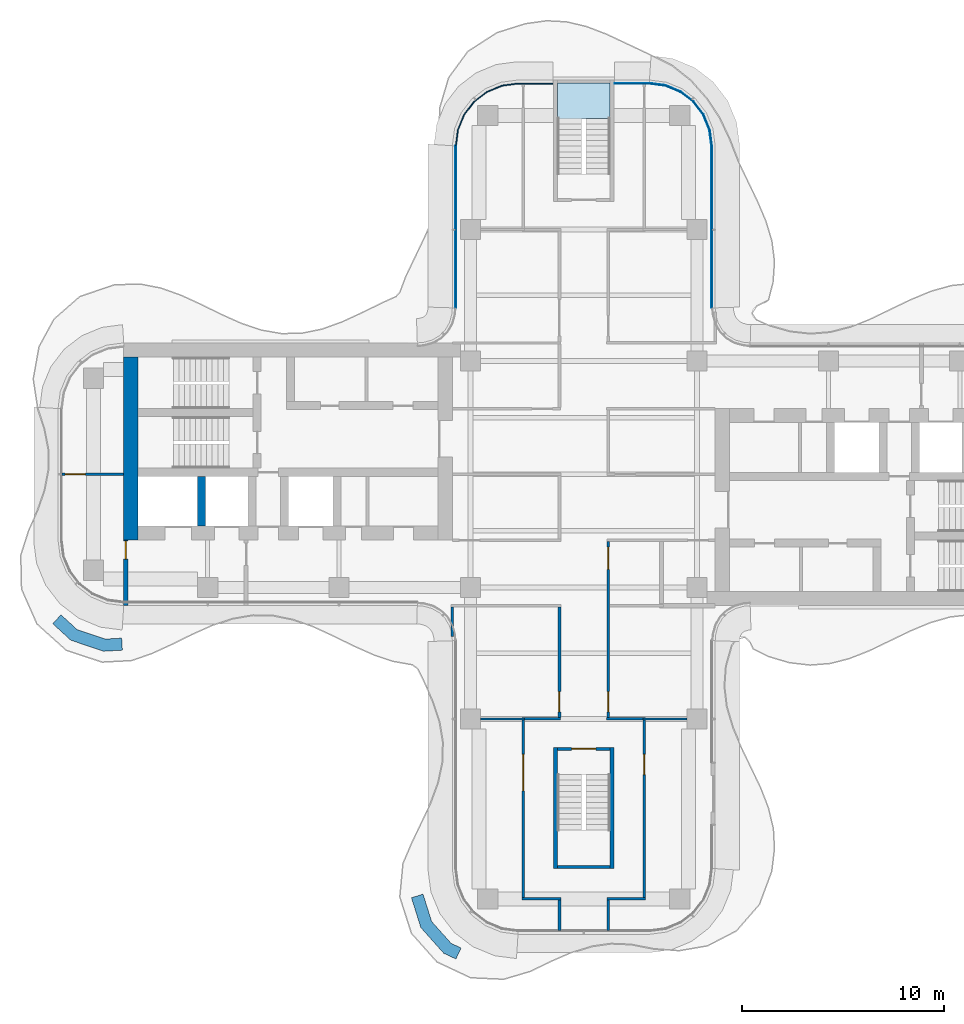
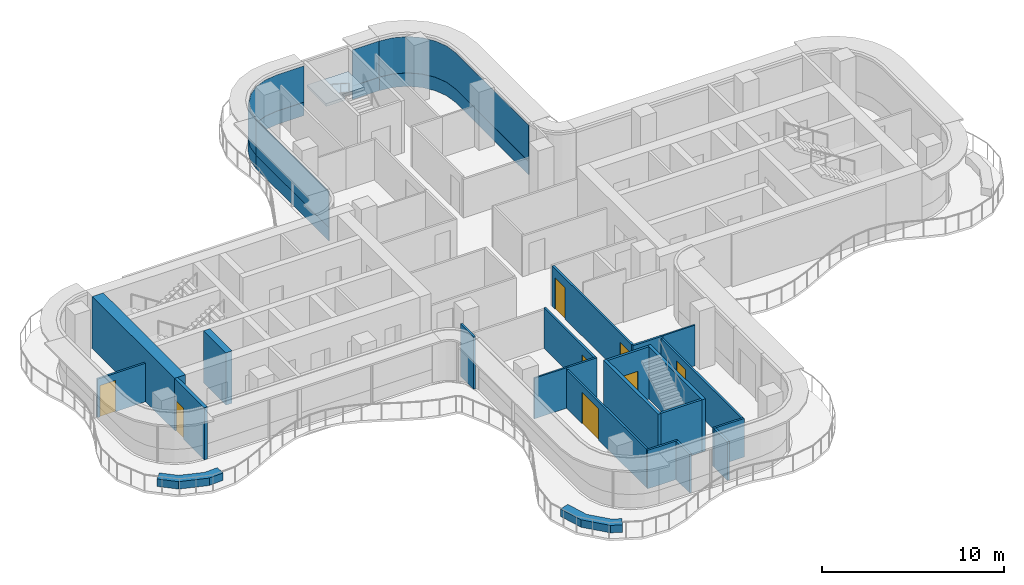
# One storey, part 10 of 15: 23 walls, 8 doors, 8 plates, 1 slab, 8 openings, 5 elements without a shape of their own.
"""IFC4 building model written with IfcOpenShell, lengths in metres."""

from ifc_helpers import new_model, si_unit, direction, frame, frame_2d, origin, place, context, subcontext, project, spatial, polyline, rectangle, outline, extrude, source, transform, mapped, material, layer, layer_set, type_object, element, fill, aggregate, save


model = new_model("IFC4")

# Units and contexts
model_context = context("Model", 3, precision=1e-05, world=origin(), true_north=direction((0.0, 1.0)))
body_context = subcontext(model_context, "Body", "Model", "MODEL_VIEW")
ifc_project = project(units=[si_unit("LENGTHUNIT", "METRE"), si_unit("AREAUNIT", "SQUARE_METRE"), si_unit("VOLUMEUNIT", "CUBIC_METRE"), si_unit("PLANEANGLEUNIT", "RADIAN"), si_unit("MASSUNIT", "GRAM", prefix="KILO")], contexts=[model_context])

# Site, building, storey
site_placement = place(None, origin())
site = spatial("IfcSite", under=ifc_project, at=site_placement, CompositionType="ELEMENT")
building_placement = place(site_placement, origin())
building = spatial("IfcBuilding", under=site, at=building_placement, Name="Trellis Farm Tower", CompositionType="ELEMENT")
storey_placement = place(building_placement, frame((0.0, 0.0, 326.199951171875)))
storey = spatial("IfcBuildingStorey", under=building, at=storey_placement, Name="L74", CompositionType="ELEMENT", Elevation=326.199951171875)

# Curtain wall, plate
ifc_material_1 = material(Name="Aluminium and glass curtain wall", Category="aluminium")
ifc_layer_1 = layer(ifc_material_1, 0.18994140625)
ifc_layer_set_1 = layer_set([ifc_layer_1], Name="RIBBON CURTAIN WALL CW1")
curtain_wall_type = type_object("IfcCurtainWallType", Name="RIBBON CURTAIN WALL CW1", PredefinedType="NOTDEFINED", material=ifc_layer_set_1)
placement_1 = place(storey_placement, origin())
curtain_wall_1 = element("IfcCurtainWall", 1, at=placement_1, inside=storey, type_object=curtain_wall_type, Name="CW1 009", PredefinedType="NOTDEFINED")
ifc_material_2 = material(Name="Clear insulated glass", Category="glass")
ifc_layer_2 = layer(ifc_material_2, 0.0400390625)
ifc_layer_set_2 = layer_set([ifc_layer_2], Name="CW1 GLASS PANEL 40")
plate_type_1 = type_object("IfcPlateType", Name="CW1 GLASS PANEL 40", PredefinedType="CURTAIN_PANEL", material=ifc_layer_set_2)
placement_2 = place(storey_placement, frame((0.0, 0.0, 0.900146484375)))
plate_1 = element("IfcPlate", 2, at=placement_2, type_object=plate_type_1, Name="PL1 009", PredefinedType="CURTAIN_PANEL", context=body_context, shape_type="SweptSolid", body=[
    extrude(outline(polyline([(6.35009765625, 8.2265625), (6.35009765625, 16.240234375), (6.2431640625, 17.052001953125), (5.93359375, 17.79931640625), (5.441162109375, 18.441162109375), (4.79931640625, 18.93359375), (4.052001953125, 19.2431640625), (3.240234375, 19.35009765625), (3.237548828125, 19.31005859375), (4.04150390625, 19.2041015625), (4.779296875, 18.898681640625), (5.41259765625, 18.41259765625), (5.898681640625, 17.779296875), (6.2041015625, 17.04150390625), (6.31005859375, 16.237548828125), (6.31005859375, 8.22509765625), (6.35009765625, 8.2265625)])), origin(), (0.0, 0.0, 1.0), 2.419921875),
])

curtain_wall_2 = element("IfcCurtainWall", 3, at=placement_1, inside=storey, type_object=curtain_wall_type, Name="CW1 010", PredefinedType="NOTDEFINED")
plate_2 = element("IfcPlate", 4, at=placement_2, type_object=plate_type_1, Name="PL1 010", PredefinedType="CURTAIN_PANEL", context=body_context, shape_type="SweptSolid", body=[
    extrude(outline(polyline([(3.240234375, 19.35009765625), (1.530029296875, 19.35009765625), (1.530029296875, 19.31005859375), (3.237548828125, 19.31005859375), (3.240234375, 19.35009765625)])), origin(), (0.0, 0.0, 1.0), 2.419921875),
])

curtain_wall_3 = element("IfcCurtainWall", 5, at=placement_1, inside=storey, type_object=curtain_wall_type, Name="CW1 011", PredefinedType="NOTDEFINED")
plate_3 = element("IfcPlate", 6, at=placement_2, type_object=plate_type_1, Name="PL1 011", PredefinedType="CURTAIN_PANEL", context=body_context, shape_type="SweptSolid", body=[
    extrude(outline(polyline([(-1.530029296875, 19.35009765625), (-3.240234375, 19.35009765625), (-4.052001953125, 19.2431640625), (-4.79931640625, 18.93359375), (-5.441162109375, 18.441162109375), (-5.93359375, 17.79931640625), (-6.2431640625, 17.052001953125), (-6.35009765625, 16.240234375), (-6.31005859375, 16.237548828125), (-6.2041015625, 17.04150390625), (-5.898681640625, 17.779296875), (-5.41259765625, 18.41259765625), (-4.779296875, 18.898681640625), (-4.04150390625, 19.2041015625), (-3.237548828125, 19.31005859375), (-1.530029296875, 19.31005859375), (-1.530029296875, 19.35009765625)])), origin(), (0.0, 0.0, 1.0), 2.419921875),
])

curtain_wall_4 = element("IfcCurtainWall", 7, at=placement_1, inside=storey, type_object=curtain_wall_type, Name="CW1 012", PredefinedType="NOTDEFINED")
plate_4 = element("IfcPlate", 8, at=placement_2, type_object=plate_type_1, Name="PL1 012", PredefinedType="CURTAIN_PANEL", context=body_context, shape_type="SweptSolid", body=[
    extrude(outline(polyline([(-6.35009765625, 16.240234375), (-6.35009765625, 8.2265625), (-6.31005859375, 8.22509765625), (-6.31005859375, 16.237548828125), (-6.35009765625, 16.240234375)])), origin(), (0.0, 0.0, 1.0), 2.419921875),
])

# Stair, slab
ifc_material_3 = material(Name="Concrete C50/60", Category="concrete")
stair_type = type_object("IfcStairType", Name="CORE EXIT STAIR 22 RISERS 177 MM", PredefinedType="HALF_TURN_STAIR", material=ifc_material_3)
stair = element("IfcStair", 9, at=placement_1, inside=storey, type_object=stair_type, Name="Exit stair N", PredefinedType="HALF_TURN_STAIR")
ifc_layer_3 = layer(ifc_material_3, 0.18994140625)
ifc_layer_set_3 = layer_set([ifc_layer_3], Name="CORE STAIR LANDING 190 CONCRETE C50/60")
slab_type = type_object("IfcSlabType", Name="CORE STAIR LANDING 190 CONCRETE C50/60", PredefinedType="LANDING", material=ifc_layer_set_3)
shared_shape_1 = source(origin(), body_context, "Body", "SweptSolid", [
    extrude(outline(polyline([(-0.10009765625, 17.27197265625), (-1.300048828125, 17.27197265625), (-1.300048828125, 17.60009765625), (-1.300048828125, 19.35009765625), (1.300048828125, 19.35009765625), (1.300048828125, 17.60009765625), (1.300048828125, 17.590087890625), (0.10009765625, 17.590087890625), (0.10009765625, 17.60009765625), (-0.10009765625, 17.60009765625), (-0.10009765625, 17.27197265625)])), origin(), (0.0, 0.0, 1.0), 0.18994140625),
])
slab_placement = place(storey_placement, frame((0.0, 0.0, 1.760009765625)))
slab = element("IfcSlab", 10, at=slab_placement, type_object=slab_type, Name="STN landing 1", PredefinedType="LANDING", context=body_context, shape_type="MappedRepresentation", body=[
    mapped(shared_shape_1, transform((0.0, 0.0, 0.0))),
])
aggregate(stair, [slab])

# Plate
ifc_material_4 = material(Name="Sandstone faced insulated panel", Category="masonry")
ifc_layer_4 = layer(ifc_material_4, 0.050048828125)
ifc_layer_set_4 = layer_set([ifc_layer_4], Name="CW1 STONE SPANDREL PANEL 50")
plate_type_2 = type_object("IfcPlateType", Name="CW1 STONE SPANDREL PANEL 50", PredefinedType="CURTAIN_PANEL", material=ifc_layer_set_4)
shared_shape_2 = source(origin(), body_context, "Body", "SweptSolid", [
    extrude(outline(polyline([(6.35009765625, 8.2265625), (6.35009765625, 16.240234375), (6.2431640625, 17.052001953125), (5.93359375, 17.79931640625), (5.441162109375, 18.441162109375), (4.79931640625, 18.93359375), (4.052001953125, 19.2431640625), (3.240234375, 19.35009765625), (3.23681640625, 19.300048828125), (4.0390625, 19.1943359375), (4.774169921875, 18.889892578125), (5.405517578125, 18.405517578125), (5.889892578125, 17.774169921875), (6.1943359375, 17.0390625), (6.300048828125, 16.23681640625), (6.300048828125, 8.224853515625), (6.35009765625, 8.2265625)])), origin(), (0.0, 0.0, 1.0), 0.900146484375),
])
plate_5 = element("IfcPlate", 11, at=placement_1, type_object=plate_type_2, Name="PS1 009", PredefinedType="CURTAIN_PANEL", context=body_context, shape_type="MappedRepresentation", body=[
    mapped(shared_shape_2, transform((0.0, 0.0, 0.0))),
])

aggregate(curtain_wall_1, [plate_1, plate_5])

shared_shape_3 = source(origin(), body_context, "Body", "SweptSolid", [
    extrude(outline(polyline([(3.240234375, 19.35009765625), (1.530029296875, 19.35009765625), (1.530029296875, 19.300048828125), (3.23681640625, 19.300048828125), (3.240234375, 19.35009765625)])), origin(), (0.0, 0.0, 1.0), 0.900146484375),
])
plate_6 = element("IfcPlate", 12, at=placement_1, type_object=plate_type_2, Name="PS1 010", PredefinedType="CURTAIN_PANEL", context=body_context, shape_type="MappedRepresentation", body=[
    mapped(shared_shape_3, transform((0.0, 0.0, 0.0))),
])

aggregate(curtain_wall_2, [plate_2, plate_6])

shared_shape_4 = source(origin(), body_context, "Body", "SweptSolid", [
    extrude(outline(polyline([(-1.530029296875, 19.35009765625), (-3.240234375, 19.35009765625), (-4.052001953125, 19.2431640625), (-4.79931640625, 18.93359375), (-5.441162109375, 18.441162109375), (-5.93359375, 17.79931640625), (-6.2431640625, 17.052001953125), (-6.35009765625, 16.240234375), (-6.300048828125, 16.23681640625), (-6.1943359375, 17.0390625), (-5.889892578125, 17.774169921875), (-5.405517578125, 18.405517578125), (-4.774169921875, 18.889892578125), (-4.0390625, 19.1943359375), (-3.23681640625, 19.300048828125), (-1.530029296875, 19.300048828125), (-1.530029296875, 19.35009765625)])), origin(), (0.0, 0.0, 1.0), 0.900146484375),
])
plate_7 = element("IfcPlate", 13, at=placement_1, type_object=plate_type_2, Name="PS1 011", PredefinedType="CURTAIN_PANEL", context=body_context, shape_type="MappedRepresentation", body=[
    mapped(shared_shape_4, transform((0.0, 0.0, 0.0))),
])

aggregate(curtain_wall_3, [plate_3, plate_7])

shared_shape_5 = source(origin(), body_context, "Body", "SweptSolid", [
    extrude(outline(polyline([(-6.35009765625, 16.240234375), (-6.35009765625, 8.2265625), (-6.300048828125, 8.224853515625), (-6.300048828125, 16.23681640625), (-6.35009765625, 16.240234375)])), origin(), (0.0, 0.0, 1.0), 0.900146484375),
])
plate_8 = element("IfcPlate", 14, at=placement_1, type_object=plate_type_2, Name="PS1 012", PredefinedType="CURTAIN_PANEL", context=body_context, shape_type="MappedRepresentation", body=[
    mapped(shared_shape_5, transform((0.0, 0.0, 0.0))),
])

aggregate(curtain_wall_4, [plate_4, plate_8])

# Wall, openings, doors
ifc_material_5 = material(Name="Plasterboard on steel studs, mineral wool", Category="steel")
ifc_layer_5 = layer(ifc_material_5, 0.125)
ifc_layer_set_5 = layer_set([ifc_layer_5], Name="PARTITION 125 STUD EI 60")
wall_type_1 = type_object("IfcWallType", Name="PARTITION 125 STUD EI 60", PredefinedType="PARTITIONING", material=ifc_layer_set_5)
wall_1_placement = place(storey_placement, frame((1.199951171875, -3.3125, 0.0), z_axis=(0.0, 0.0, 1.0), x_axis=(0.0, -1.0, 0.0)))
wall_1 = element("IfcWall", 15, at=wall_1_placement, inside=storey, type_object=wall_type_1, Name="Partition PW1", PredefinedType="PARTITIONING", context=body_context, shape_type="SweptSolid", body=[
    extrude(rectangle(XDim=8.72509765625, YDim=0.125, at=frame_2d((4.362548828125, 0.0))), origin(), (0.0, 0.0, 1.0), 2.7177734375),
])
shared_shape_6 = source(origin(), body_context, "Body", "SweptSolid", [
    extrude(rectangle(XDim=1.0, YDim=2.10009765625, at=frame_2d((0.5, 1.050048828125))), frame((0.0, 0.072509765625, 0.0), z_axis=(0.0, -1.0, 0.0), x_axis=(1.0, 0.0, 0.0)), (0.0, 0.0, 1.0), 0.14501953125),
])
opening_1_placement = place(wall_1_placement, frame((7.4375, 0.0, 0.0)))
opening_1 = element("IfcOpeningElement", 16, at=opening_1_placement, cuts=wall_1, Name="Opening D103", PredefinedType="OPENING", context=body_context, shape_type="MappedRepresentation", body=[
    mapped(shared_shape_6, transform((0.0, 0.0, 0.0))),
])
shared_shape_7 = source(origin(), body_context, "Body", "SweptSolid", [
    extrude(rectangle(XDim=1.10009765625, YDim=2.10009765625, at=frame_2d((0.550048828125, 1.050048828125))), frame((0.0, 0.072509765625, 0.0), z_axis=(0.0, -1.0, 0.0), x_axis=(1.0, 0.0, 0.0)), (0.0, 0.0, 1.0), 0.14501953125),
])
opening_2_placement = place(wall_1_placement, frame((0.28759765625, 0.0, 0.0)))
opening_2 = element("IfcOpeningElement", 17, at=opening_2_placement, cuts=wall_1, Name="Opening D501", PredefinedType="OPENING", context=body_context, shape_type="MappedRepresentation", body=[
    mapped(shared_shape_7, transform((0.0, 0.0, 0.0))),
])
ifc_material_6 = material(Name="Fire-rated timber door leaf in a hollow metal frame", Category="wood")
door_type_1 = type_object("IfcDoorType", Name="DOOR 1100x2100 FD30S", OperationType="NOTDEFINED", PredefinedType="DOOR", material=ifc_material_6)
shared_shape_8 = source(origin(), body_context, "Body", "SweptSolid", [
    extrude(rectangle(XDim=1.10009765625, YDim=2.10009765625, at=frame_2d((0.550048828125, 1.050048828125))), frame((0.0, 0.02490234375, 0.0), z_axis=(0.0, -1.0, 0.0), x_axis=(1.0, 0.0, 0.0)), (0.0, 0.0, 1.0), 0.050048828125),
])
door_1_placement = place(opening_2_placement, origin())
door_1 = element("IfcDoor", 18, at=door_1_placement, inside=storey, type_object=door_type_1, Name="Door D501", OperationType="SINGLE_SWING_LEFT", OverallHeight=2.10009765625, OverallWidth=1.10009765625, PredefinedType="DOOR", context=body_context, shape_type="MappedRepresentation", body=[
    mapped(shared_shape_8, transform((0.0, 0.0, 0.0))),
])
fill(opening_2, door_1)
door_type_2 = type_object("IfcDoorType", Name="DOOR 1000x2100 FD30S", OperationType="NOTDEFINED", PredefinedType="DOOR", material=ifc_material_6)
shared_shape_9 = source(origin(), body_context, "Body", "SweptSolid", [
    extrude(rectangle(XDim=1.0, YDim=2.10009765625, at=frame_2d((0.5, 1.050048828125))), frame((0.0, 0.02490234375, 0.0), z_axis=(0.0, -1.0, 0.0), x_axis=(1.0, 0.0, 0.0)), (0.0, 0.0, 1.0), 0.050048828125),
])
door_2_placement = place(opening_1_placement, origin())
door_2 = element("IfcDoor", 19, at=door_2_placement, inside=storey, type_object=door_type_2, Name="Door D103", OperationType="SINGLE_SWING_RIGHT", OverallHeight=2.10009765625, OverallWidth=1.0, PredefinedType="DOOR", context=body_context, shape_type="MappedRepresentation", body=[
    mapped(shared_shape_9, transform((0.0, 0.0, 0.0))),
])
fill(opening_1, door_2)

# Walls
ifc_material_7 = material(Name="Sandstone faced masonry planter", Category="masonry")
ifc_layer_6 = layer(ifc_material_7, 0.60009765625)
ifc_layer_set_6 = layer_set([ifc_layer_6], Name="PLANTER BED 600")
wall_type_2 = type_object("IfcWallType", Name="PLANTER BED 600", PredefinedType="USERDEFINED", material=ifc_layer_set_6)
element("IfcWall", 20, at=placement_1, inside=storey, type_object=wall_type_2, Name="PLANTER bed", ObjectType="PLANTER", PredefinedType="USERDEFINED", context=body_context, shape_type="SweptSolid", body=[
    extrude(outline(polyline([(-6.922607421875, -23.68994140625), (-8.058837890625, -22.4140625), (-8.52001953125, -20.942626953125), (-7.947509765625, -20.76318359375), (-7.52490234375, -22.111572265625), (-6.556884765625, -23.197998046875), (-6.066650390625, -23.426025390625), (-6.319580078125, -23.97021484375), (-6.922607421875, -23.68994140625)])), origin(), (0.0, 0.0, 1.0), 0.5),
])
element("IfcWall", 21, at=placement_1, inside=storey, type_object=wall_type_2, Name="PLANTER bed", ObjectType="PLANTER", PredefinedType="USERDEFINED", context=body_context, shape_type="SweptSolid", body=[
    extrude(outline(polyline([(-25.36376953125, -8.20849609375), (-26.25927734375, -7.390380859375), (-25.8544921875, -6.947509765625), (-25.052978515625, -7.6796875), (-23.65380859375, -8.1474609375), (-22.852294921875, -8.1005859375), (-22.817138671875, -8.699462890625), (-23.734375, -8.753173828125), (-25.36376953125, -8.20849609375)])), origin(), (0.0, 0.0, 1.0), 0.5),
])
ifc_layer_7 = layer(ifc_material_3, 0.699951171875)
ifc_layer_set_7 = layer_set([ifc_layer_7], Name="CORE OUTER WALL 700 CONCRETE C50/60")
wall_type_3 = type_object("IfcWallType", Name="CORE OUTER WALL 700 CONCRETE C50/60", PredefinedType="SHEAR", material=ifc_layer_set_7)
shared_shape_10 = source(origin(), body_context, "Body", "SweptSolid", [
    extrude(rectangle(XDim=9.050048828125, YDim=0.699951171875, at=frame_2d((4.52490234375, 0.0))), origin(), (0.0, 0.0, 1.0), 3.5),
])
wall_4_placement = place(storey_placement, frame((-22.39990234375, 5.800048828125, 0.0), z_axis=(0.0, 0.0, 1.0), x_axis=(0.0, -1.0, 0.0)))
element("IfcWall", 22, at=wall_4_placement, inside=storey, type_object=wall_type_3, Name="Core wall", PredefinedType="SHEAR", context=body_context, shape_type="MappedRepresentation", body=[
    mapped(shared_shape_10, transform((0.0, 0.0, 0.0))),
])
ifc_layer_8 = layer(ifc_material_3, 0.39990234375)
ifc_layer_set_8 = layer_set([ifc_layer_8], Name="CORE INNER WALL 400 CONCRETE C50/60")
wall_type_4 = type_object("IfcWallType", Name="CORE INNER WALL 400 CONCRETE C50/60", PredefinedType="SHEAR", material=ifc_layer_set_8)
shared_shape_11 = source(origin(), body_context, "Body", "SweptSolid", [
    extrude(rectangle(XDim=2.449951171875, YDim=0.39990234375, at=frame_2d((1.22509765625, 0.0))), origin(), (0.0, 0.0, 1.0), 3.5),
])
wall_5_placement = place(storey_placement, frame((-18.89990234375, -0.10009765625, 0.0), z_axis=(0.0, 0.0, 1.0), x_axis=(0.0, -1.0, 0.0)))
element("IfcWall", 23, at=wall_5_placement, inside=storey, type_object=wall_type_4, Name="Core wall", PredefinedType="SHEAR", context=body_context, shape_type="MappedRepresentation", body=[
    mapped(shared_shape_11, transform((0.0, 0.0, 0.0))),
])

# Wall, opening, door
ifc_material_8 = material(Name="Masonry blockwork", Category="masonry")
ifc_layer_9 = layer(ifc_material_8, 0.199951171875)
ifc_layer_set_9 = layer_set([ifc_layer_9], Name="FIRE LOBBY PARTITION 200 BLOCKWORK")
wall_type_5 = type_object("IfcWallType", Name="FIRE LOBBY PARTITION 200 BLOCKWORK", PredefinedType="PARTITIONING", material=ifc_layer_set_9)
shared_shape_12 = source(origin(), body_context, "Body", "SweptSolid", [
    extrude(rectangle(XDim=3.25, YDim=0.199951171875, at=frame_2d((1.625, 0.0))), origin(), (0.0, 0.0, 1.0), 3.5),
])
wall_6_placement = place(storey_placement, frame((-22.64990234375, -3.25, 0.0), z_axis=(0.0, 0.0, 1.0), x_axis=(0.0, -1.0, 0.0)))
wall_6 = element("IfcWall", 24, at=wall_6_placement, inside=storey, type_object=wall_type_5, Name="Fire-fighting lobby partition", PredefinedType="PARTITIONING", context=body_context, shape_type="MappedRepresentation", body=[
    mapped(shared_shape_12, transform((0.0, 0.0, 0.0))),
])
shared_shape_13 = source(origin(), body_context, "Body", "SweptSolid", [
    extrude(rectangle(XDim=0.89990234375, YDim=2.10009765625, at=frame_2d((0.449951171875, 1.050048828125))), frame((0.0, 0.110107421875, 0.0), z_axis=(0.0, -1.0, 0.0), x_axis=(1.0, 0.0, 0.0)), (0.0, 0.0, 1.0), 0.22021484375),
])
opening_3_placement = place(wall_6_placement, frame((0.050048828125, 0.0, 0.0)))
opening_3 = element("IfcOpeningElement", 25, at=opening_3_placement, cuts=wall_6, Name="Opening DC94", PredefinedType="OPENING", context=body_context, shape_type="MappedRepresentation", body=[
    mapped(shared_shape_13, transform((0.0, 0.0, 0.0))),
])
ifc_material_9 = material(Name="Steel", Category="steel")
door_type_3 = type_object("IfcDoorType", Name="CORE FIRE DOOR 900 X 2100", OperationType="NOTDEFINED", PredefinedType="DOOR", material=ifc_material_9)
shared_shape_14 = source(origin(), body_context, "Body", "SweptSolid", [
    extrude(rectangle(XDim=0.89990234375, YDim=2.10009765625, at=frame_2d((0.449951171875, 1.050048828125))), frame((0.0, 0.02490234375, 0.0), z_axis=(0.0, -1.0, 0.0), x_axis=(1.0, 0.0, 0.0)), (0.0, 0.0, 1.0), 0.050048828125),
])
door_3_placement = place(opening_3_placement, origin())
door_3 = element("IfcDoor", 26, at=door_3_placement, inside=storey, type_object=door_type_3, Name="Core door", OperationType="SINGLE_SWING_RIGHT", OverallHeight=2.10009765625, OverallWidth=0.89990234375, PredefinedType="DOOR", context=body_context, shape_type="MappedRepresentation", body=[
    mapped(shared_shape_14, transform((0.0, 0.0, 0.0))),
])
fill(opening_3, door_3)

# Walls
ifc_layer_10 = layer(ifc_material_3, 0.199951171875)
ifc_layer_set_10 = layer_set([ifc_layer_10], Name="CORE STAIR ENCLOSURE WALL 200 CONCRETE C50/60")
wall_type_6 = type_object("IfcWallType", Name="CORE STAIR ENCLOSURE WALL 200 CONCRETE C50/60", PredefinedType="SHEAR", material=ifc_layer_set_10)
shared_shape_15 = source(origin(), body_context, "Body", "SweptSolid", [
    extrude(rectangle(XDim=6.0, YDim=0.199951171875, at=frame_2d((3.0, 0.0))), origin(), (0.0, 0.0, 1.0), 3.5),
])
for number, where, z_axis, x_axis, name in (
    (27, (1.39990234375, -13.5, 0.0), (0.0, 0.0, 1.0), (0.0, -1.0, 0.0), "Stair enclosure wall"),
    (28, (-1.39990234375, -13.5, 0.0), (0.0, 0.0, 1.0), (0.0, -1.0, 0.0), "Stair enclosure wall"),
):
    element("IfcWall", number, at=place(storey_placement, frame(where, z_axis=z_axis, x_axis=x_axis)), inside=storey, type_object=wall_type_6, Name=name, PredefinedType="SHEAR", context=body_context, shape_type="MappedRepresentation", body=[
        mapped(shared_shape_15, transform((0.0, 0.0, 0.0))),
    ])

# Wall, opening, door
ifc_layer_11 = layer(ifc_material_3, 0.14990234375)
ifc_layer_set_11 = layer_set([ifc_layer_11], Name="CORE STAIR ENCLOSURE WALL 150 CONCRETE C50/60")
wall_type_7 = type_object("IfcWallType", Name="CORE STAIR ENCLOSURE WALL 150 CONCRETE C50/60", PredefinedType="SHEAR", material=ifc_layer_set_11)
shared_shape_16 = source(origin(), body_context, "Body", "SweptSolid", [
    extrude(rectangle(XDim=2.60009765625, YDim=0.14990234375, at=frame_2d((1.300048828125, 0.0))), origin(), (0.0, 0.0, 1.0), 3.5),
])
wall_7_placement = place(storey_placement, frame((1.300048828125, -13.574951171875, 0.0), z_axis=(0.0, 0.0, 1.0), x_axis=(-1.0, 0.0, 0.0)))
wall_7 = element("IfcWall", 29, at=wall_7_placement, inside=storey, type_object=wall_type_7, Name="Stair enclosure wall", PredefinedType="SHEAR", context=body_context, shape_type="MappedRepresentation", body=[
    mapped(shared_shape_16, transform((0.0, 0.0, 0.0))),
])
shared_shape_17 = source(origin(), body_context, "Body", "SweptSolid", [
    extrude(rectangle(XDim=1.199951171875, YDim=2.10009765625, at=frame_2d((0.60009765625, 1.050048828125))), frame((0.0, 0.0849609375, 0.0), z_axis=(0.0, -1.0, 0.0), x_axis=(1.0, 0.0, 0.0)), (0.0, 0.0, 1.0), 0.169921875),
])
opening_4_placement = place(wall_7_placement, frame((0.699951171875, 0.0, 0.0)))
opening_4 = element("IfcOpeningElement", 30, at=opening_4_placement, cuts=wall_7, Name="Opening DC174", PredefinedType="OPENING", context=body_context, shape_type="MappedRepresentation", body=[
    mapped(shared_shape_17, transform((0.0, 0.0, 0.0))),
])
door_type_4 = type_object("IfcDoorType", Name="CORE FIRE DOOR 1200 X 2100", OperationType="NOTDEFINED", PredefinedType="DOOR", material=ifc_material_9)
shared_shape_18 = source(origin(), body_context, "Body", "SweptSolid", [
    extrude(rectangle(XDim=1.199951171875, YDim=2.10009765625, at=frame_2d((0.60009765625, 1.050048828125))), frame((0.0, 0.02490234375, 0.0), z_axis=(0.0, -1.0, 0.0), x_axis=(1.0, 0.0, 0.0)), (0.0, 0.0, 1.0), 0.050048828125),
])
door_4_placement = place(opening_4_placement, origin())
door_4 = element("IfcDoor", 31, at=door_4_placement, inside=storey, type_object=door_type_4, Name="Core door", OperationType="SINGLE_SWING_RIGHT", OverallHeight=2.10009765625, OverallWidth=1.199951171875, PredefinedType="DOOR", context=body_context, shape_type="MappedRepresentation", body=[
    mapped(shared_shape_18, transform((0.0, 0.0, 0.0))),
])
fill(opening_4, door_4)

# Walls
wall_8_placement = place(storey_placement, frame((1.300048828125, -19.425048828125, 0.0), z_axis=(0.0, 0.0, 1.0), x_axis=(-1.0, 0.0, 0.0)))
element("IfcWall", 32, at=wall_8_placement, inside=storey, type_object=wall_type_7, Name="Stair enclosure wall", PredefinedType="SHEAR", context=body_context, shape_type="MappedRepresentation", body=[
    mapped(shared_shape_16, transform((0.0, 0.0, 0.0))),
])
shared_shape_19 = source(origin(), body_context, "Body", "SweptSolid", [
    extrude(rectangle(XDim=1.487548828125, YDim=0.125, at=frame_2d((0.74365234375, 0.0))), origin(), (0.0, 0.0, 1.0), 2.580078125),
])
for number, where, z_axis, x_axis, name in (
    (33, (-1.199951171875, -21.0625, 0.0), (0.0, 0.0, 1.0), (0.0, -1.0, 0.0), "Partition PW1"),
    (34, (1.199951171875, -21.0625, 0.0), (0.0, 0.0, 1.0), (0.0, -1.0, 0.0), "Partition PW1"),
):
    element("IfcWall", number, at=place(storey_placement, frame(where, z_axis=z_axis, x_axis=x_axis)), inside=storey, type_object=wall_type_1, Name=name, PredefinedType="PARTITIONING", context=body_context, shape_type="MappedRepresentation", body=[
        mapped(shared_shape_19, transform((0.0, 0.0, 0.0))),
    ])

# Wall, opening, door
shared_shape_20 = source(origin(), body_context, "Body", "SweptSolid", [
    extrude(rectangle(XDim=5.47509765625, YDim=0.125, at=frame_2d((2.737548828125, 0.0))), origin(), (0.0, 0.0, 1.0), 2.7177734375),
])
wall_9_placement = place(storey_placement, frame((-1.199951171875, -6.5625, 0.0), z_axis=(0.0, 0.0, 1.0), x_axis=(0.0, -1.0, 0.0)))
wall_9 = element("IfcWall", 35, at=wall_9_placement, inside=storey, type_object=wall_type_1, Name="Partition PW1", PredefinedType="PARTITIONING", context=body_context, shape_type="MappedRepresentation", body=[
    mapped(shared_shape_20, transform((0.0, 0.0, 0.0))),
])
opening_5_placement = place(wall_9_placement, frame((4.1875, 0.0, 0.0)))
opening_5 = element("IfcOpeningElement", 36, at=opening_5_placement, cuts=wall_9, Name="Opening D102", PredefinedType="OPENING", context=body_context, shape_type="MappedRepresentation", body=[
    mapped(shared_shape_6, transform((0.0, 0.0, 0.0))),
])
door_5_placement = place(opening_5_placement, origin())
door_5 = element("IfcDoor", 37, at=door_5_placement, inside=storey, type_object=door_type_2, Name="Door D102", OperationType="SINGLE_SWING_RIGHT", OverallHeight=2.10009765625, OverallWidth=1.0, PredefinedType="DOOR", context=body_context, shape_type="MappedRepresentation", body=[
    mapped(shared_shape_9, transform((0.0, 0.0, 0.0))),
])
fill(opening_5, door_5)

shared_shape_21 = source(origin(), body_context, "Body", "SweptSolid", [
    extrude(rectangle(XDim=8.78759765625, YDim=0.125, at=frame_2d((4.393798828125, 0.0))), origin(), (0.0, 0.0, 1.0), 2.580078125),
])
wall_10_placement = place(storey_placement, frame((-3.0, -20.9375, 0.0), z_axis=(0.0, 0.0, 1.0), x_axis=(0.0, 1.0, 0.0)))
wall_10 = element("IfcWall", 38, at=wall_10_placement, inside=storey, type_object=wall_type_1, Name="Partition PW1", PredefinedType="PARTITIONING", context=body_context, shape_type="MappedRepresentation", body=[
    mapped(shared_shape_21, transform((0.0, 0.0, 0.0))),
])
shared_shape_22 = source(origin(), body_context, "Body", "SweptSolid", [
    extrude(rectangle(XDim=1.800048828125, YDim=2.10009765625, at=frame_2d((0.89990234375, 1.050048828125))), frame((0.0, 0.072509765625, 0.0), z_axis=(0.0, -1.0, 0.0), x_axis=(1.0, 0.0, 0.0)), (0.0, 0.0, 1.0), 0.14501953125),
])
opening_6_placement = place(wall_10_placement, frame((5.28759765625, 0.0, 0.0)))
opening_6 = element("IfcOpeningElement", 39, at=opening_6_placement, cuts=wall_10, Name="Opening D201", PredefinedType="OPENING", context=body_context, shape_type="MappedRepresentation", body=[
    mapped(shared_shape_22, transform((0.0, 0.0, 0.0))),
])
door_type_5 = type_object("IfcDoorType", Name="DOOR PAIR 1800x2100 FD30S", OperationType="NOTDEFINED", PredefinedType="DOOR", material=ifc_material_6)
shared_shape_23 = source(origin(), body_context, "Body", "SweptSolid", [
    extrude(rectangle(XDim=1.800048828125, YDim=2.10009765625, at=frame_2d((0.89990234375, 1.050048828125))), frame((0.0, 0.02490234375, 0.0), z_axis=(0.0, -1.0, 0.0), x_axis=(1.0, 0.0, 0.0)), (0.0, 0.0, 1.0), 0.050048828125),
])
door_6_placement = place(opening_6_placement, origin())
door_6 = element("IfcDoor", 40, at=door_6_placement, inside=storey, type_object=door_type_5, Name="Door D201", OperationType="DOUBLE_DOOR_SINGLE_SWING", OverallHeight=2.10009765625, OverallWidth=1.800048828125, PredefinedType="DOOR", context=body_context, shape_type="MappedRepresentation", body=[
    mapped(shared_shape_23, transform((0.0, 0.0, 0.0))),
])
fill(opening_6, door_6)

wall_11_placement = place(storey_placement, frame((3.0, -12.14990234375, 0.0), z_axis=(0.0, 0.0, 1.0), x_axis=(0.0, -1.0, 0.0)))
wall_11 = element("IfcWall", 41, at=wall_11_placement, inside=storey, type_object=wall_type_1, Name="Partition PW1", PredefinedType="PARTITIONING", context=body_context, shape_type="MappedRepresentation", body=[
    mapped(shared_shape_21, transform((0.0, 0.0, 0.0))),
])
opening_7_placement = place(wall_11_placement, frame((1.699951171875, 0.0, 0.0)))
opening_7 = element("IfcOpeningElement", 42, at=opening_7_placement, cuts=wall_11, Name="Opening D101", PredefinedType="OPENING", context=body_context, shape_type="MappedRepresentation", body=[
    mapped(shared_shape_6, transform((0.0, 0.0, 0.0))),
])
door_7_placement = place(opening_7_placement, origin())
door_7 = element("IfcDoor", 43, at=door_7_placement, inside=storey, type_object=door_type_2, Name="Door D101", OperationType="SINGLE_SWING_LEFT", OverallHeight=2.10009765625, OverallWidth=1.0, PredefinedType="DOOR", context=body_context, shape_type="MappedRepresentation", body=[
    mapped(shared_shape_9, transform((0.0, 0.0, 0.0))),
])
fill(opening_7, door_7)

# Walls
shared_shape_24 = source(origin(), body_context, "Body", "SweptSolid", [
    extrude(rectangle(XDim=1.468994140625, YDim=0.125, at=frame_2d((0.734375, 0.0))), origin(), (0.0, 0.0, 1.0), 3.5),
])
wall_12_placement = place(storey_placement, frame((-6.5, -6.5625, 0.0), z_axis=(0.0, 0.0, 1.0), x_axis=(0.0, -1.0, 0.0)))
element("IfcWall", 44, at=wall_12_placement, inside=storey, type_object=wall_type_1, Name="Partition PW1", PredefinedType="PARTITIONING", context=body_context, shape_type="MappedRepresentation", body=[
    mapped(shared_shape_24, transform((0.0, 0.0, 0.0))),
])
shared_shape_25 = source(origin(), body_context, "Body", "SweptSolid", [
    extrude(rectangle(XDim=1.925048828125, YDim=0.125, at=frame_2d((0.96240234375, 0.0))), origin(), (0.0, 0.0, 1.0), 2.580078125),
])
for number, where, z_axis, x_axis, name in (
    (45, (-1.137451171875, -21.0, 0.0), (0.0, 0.0, 1.0), (-1.0, 0.0, 0.0), "Partition PW1"),
    (46, (3.0625, -21.0, 0.0), (0.0, 0.0, 1.0), (-1.0, 0.0, 0.0), "Partition PW1"),
):
    element("IfcWall", number, at=place(storey_placement, frame(where, z_axis=z_axis, x_axis=x_axis)), inside=storey, type_object=wall_type_1, Name=name, PredefinedType="PARTITIONING", context=body_context, shape_type="MappedRepresentation", body=[
        mapped(shared_shape_25, transform((0.0, 0.0, 0.0))),
    ])
ifc_material_10 = material(Name="Plasterboard on steel studs", Category="steel")
ifc_layer_12 = layer(ifc_material_10, 0.10009765625)
ifc_layer_set_12 = layer_set([ifc_layer_12], Name="PARTITION 100 STUD EI 30")
wall_type_8 = type_object("IfcWallType", Name="PARTITION 100 STUD EI 30", PredefinedType="PARTITIONING", material=ifc_layer_set_12)
shared_shape_26 = source(origin(), body_context, "Body", "SweptSolid", [
    extrude(rectangle(XDim=2.16259765625, YDim=0.10009765625, at=frame_2d((1.081298828125, 0.0))), origin(), (0.0, 0.0, 1.0), 2.7177734375),
])
for number, where, z_axis, x_axis, name in (
    (47, (-5.10009765625, -12.10009765625, 0.0), (0.0, 0.0, 1.0), (1.0, 0.0, 0.0), "Partition PW2"),
    (48, (2.9375, -12.10009765625, 0.0), (0.0, 0.0, 1.0), (1.0, 0.0, 0.0), "Partition PW2"),
):
    element("IfcWall", number, at=place(storey_placement, frame(where, z_axis=z_axis, x_axis=x_axis)), inside=storey, type_object=wall_type_8, Name=name, PredefinedType="PARTITIONING", context=body_context, shape_type="MappedRepresentation", body=[
        mapped(shared_shape_26, transform((0.0, 0.0, 0.0))),
    ])
shared_shape_27 = source(origin(), body_context, "Body", "SweptSolid", [
    extrude(rectangle(XDim=1.925048828125, YDim=0.125, at=frame_2d((0.96240234375, 0.0))), origin(), (0.0, 0.0, 1.0), 2.7177734375),
])
for number, where, z_axis, x_axis, name in (
    (49, (-3.0625, -12.10009765625, 0.0), (0.0, 0.0, 1.0), (1.0, 0.0, 0.0), "Partition PW1"),
    (50, (1.137451171875, -12.10009765625, 0.0), (0.0, 0.0, 1.0), (1.0, 0.0, 0.0), "Partition PW1"),
):
    element("IfcWall", number, at=place(storey_placement, frame(where, z_axis=z_axis, x_axis=x_axis)), inside=storey, type_object=wall_type_1, Name=name, PredefinedType="PARTITIONING", context=body_context, shape_type="MappedRepresentation", body=[
        mapped(shared_shape_27, transform((0.0, 0.0, 0.0))),
    ])

# Wall, opening, door
shared_shape_28 = source(origin(), body_context, "Body", "SweptSolid", [
    extrude(rectangle(XDim=3.050048828125, YDim=0.125, at=frame_2d((1.52490234375, 0.0))), origin(), (0.0, 0.0, 1.0), 2.580078125),
])
wall_13_placement = place(storey_placement, frame((-25.800048828125, 0.0, 0.0), z_axis=(0.0, 0.0, 1.0), x_axis=(1.0, 0.0, 0.0)))
wall_13 = element("IfcWall", 51, at=wall_13_placement, inside=storey, type_object=wall_type_1, Name="Partition PW1", PredefinedType="PARTITIONING", context=body_context, shape_type="MappedRepresentation", body=[
    mapped(shared_shape_28, transform((0.0, 0.0, 0.0))),
])
opening_8_placement = place(wall_13_placement, frame((0.14990234375, 0.0, 0.0)))
opening_8 = element("IfcOpeningElement", 52, at=opening_8_placement, cuts=wall_13, Name="Opening D105", PredefinedType="OPENING", context=body_context, shape_type="MappedRepresentation", body=[
    mapped(shared_shape_6, transform((0.0, 0.0, 0.0))),
])
door_8_placement = place(opening_8_placement, origin())
door_8 = element("IfcDoor", 53, at=door_8_placement, inside=storey, type_object=door_type_2, Name="Door D105", OperationType="SINGLE_SWING_LEFT", OverallHeight=2.10009765625, OverallWidth=1.0, PredefinedType="DOOR", context=body_context, shape_type="MappedRepresentation", body=[
    mapped(shared_shape_9, transform((0.0, 0.0, 0.0))),
])
fill(opening_8, door_8)

save(model, "model.ifc")
